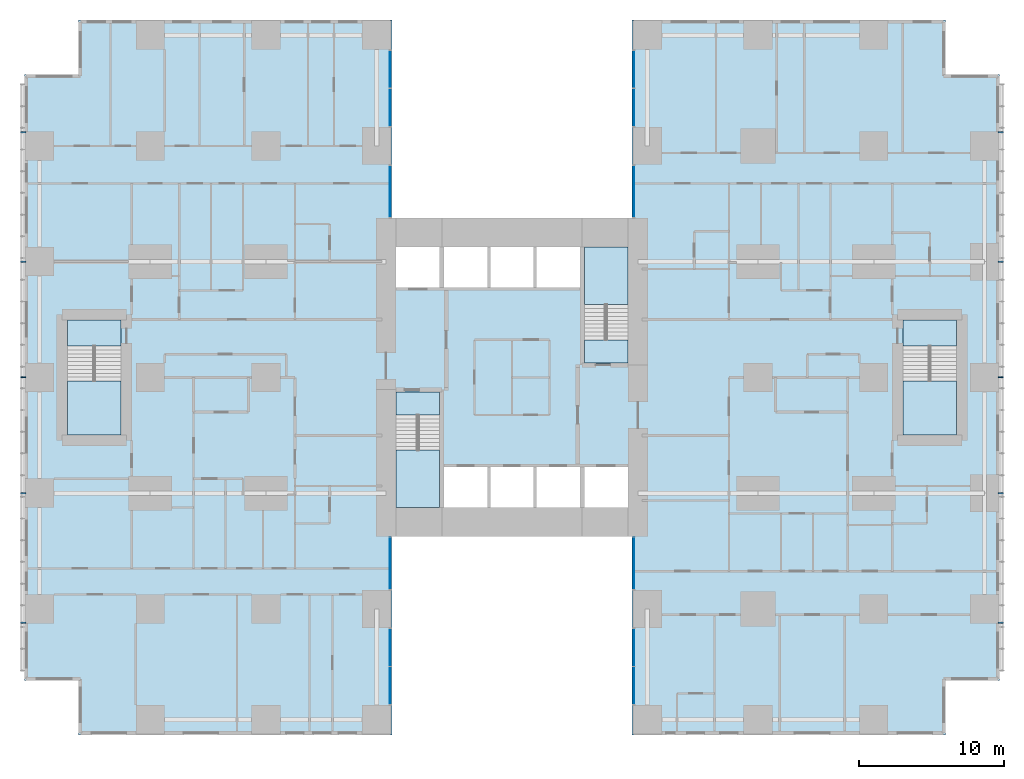
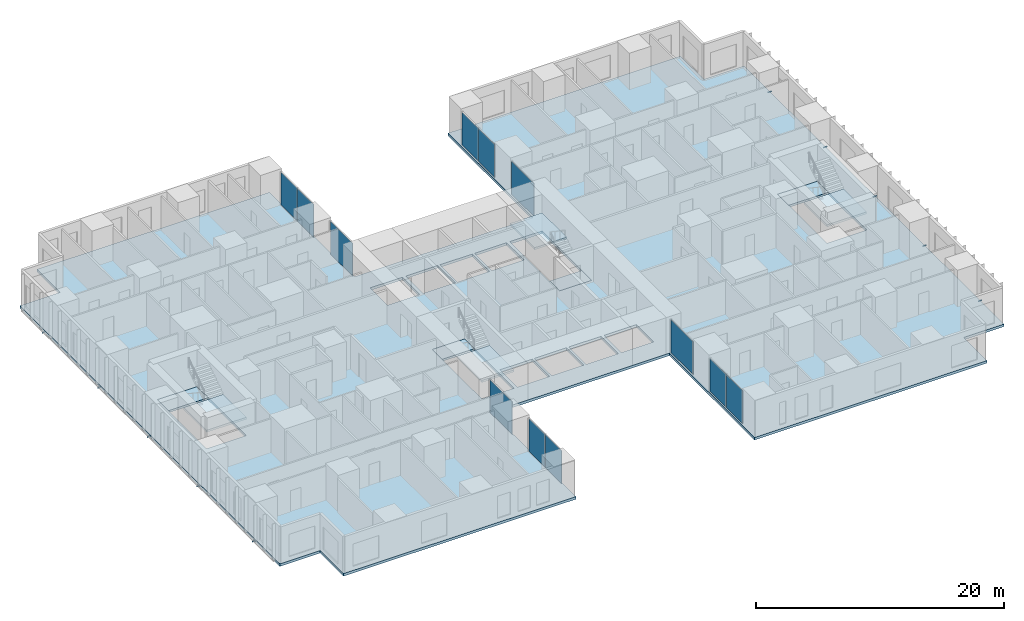
# One storey, part 7 of 20: 12 plates, 10 members, 9 slabs, 12 elements without a shape of their own.
"""IFC4 building model written with IfcOpenShell, lengths in metres."""

from ifc_helpers import new_model, si_unit, direction, frame, origin, origin_2d, place, context, subcontext, project, spatial, polyline, rectangle, hollow_rectangle, outline, extrude, material, layer, layer_set, material_profile, profile_set, type_object, element, aggregate, save


model = new_model("IFC4")

# Units and contexts
model_context = context("Model", 3, precision=1e-05, world=origin(), true_north=direction((0.0, 1.0)))
body_context = subcontext(model_context, "Body", "Model", "MODEL_VIEW")
ifc_project = project(units=[si_unit("LENGTHUNIT", "METRE"), si_unit("AREAUNIT", "SQUARE_METRE"), si_unit("VOLUMEUNIT", "CUBIC_METRE"), si_unit("PLANEANGLEUNIT", "RADIAN"), si_unit("MASSUNIT", "GRAM", prefix="KILO")], contexts=[model_context])

# Site, building, storey
site_placement = place(None, origin())
site = spatial("IfcSite", under=ifc_project, at=site_placement, CompositionType="ELEMENT")
building_placement = place(site_placement, origin())
building = spatial("IfcBuilding", under=site, at=building_placement, Name="Cleftline Residences", CompositionType="ELEMENT")
storey_placement = place(building_placement, frame((0.0, 0.0, 103.39990234375)))
storey = spatial("IfcBuildingStorey", under=building, at=storey_placement, Name="L26", CompositionType="ELEMENT", Elevation=103.39990234375)

# Members
ifc_material_1 = material(Name="Steel S355, hot-dip galvanised", Category="steel")
ifc_material_profile = material_profile(ifc_material_1, hollow_rectangle(XDim=0.10009765625, YDim=0.10009765625, WallThickness=0.008056640625, InnerFilletRadius=0.008056640625, OuterFilletRadius=0.011962890625, at=origin_2d()))
ifc_profile_set = profile_set([ifc_material_profile], Name="Steel S355, hot-dip galvanised")
member_type = type_object("IfcMemberType", Name="BAGUETTE BRACKET SHS 100X100X8", PredefinedType="USERDEFINED", material=ifc_profile_set)
for number, where, z_axis, x_axis, name in (
    (1, (66.60009765625, 7.050048828125, -0.14990234375), (1.0, 0.0, 0.0), (0.0, 1.0, 0.0), "Baguette bracket"),
    (2, (66.60009765625, 16.0, -0.14990234375), (1.0, 0.0, 0.0), (0.0, 1.0, 0.0), "Baguette bracket"),
    (3, (66.60009765625, 24.0, -0.14990234375), (1.0, 0.0, 0.0), (0.0, 1.0, 0.0), "Baguette bracket"),
    (4, (66.60009765625, 32.0, -0.14990234375), (1.0, 0.0, 0.0), (0.0, 1.0, 0.0), "Baguette bracket"),
    (5, (66.60009765625, 40.949951171875, -0.14990234375), (1.0, 0.0, 0.0), (0.0, 1.0, 0.0), "Baguette bracket"),
    (6, (-0.60009765625, 40.949951171875, -0.14990234375), (-1.0, 0.0, 0.0), (0.0, -1.0, 0.0), "Baguette bracket"),
    (7, (-0.60009765625, 32.0, -0.14990234375), (-1.0, 0.0, 0.0), (0.0, -1.0, 0.0), "Baguette bracket"),
    (8, (-0.60009765625, 24.0, -0.14990234375), (-1.0, 0.0, 0.0), (0.0, -1.0, 0.0), "Baguette bracket"),
    (9, (-0.60009765625, 16.0, -0.14990234375), (-1.0, 0.0, 0.0), (0.0, -1.0, 0.0), "Baguette bracket"),
    (10, (-0.60009765625, 7.050048828125, -0.14990234375), (-1.0, 0.0, 0.0), (0.0, -1.0, 0.0), "Baguette bracket"),
):
    element("IfcMember", number, at=place(storey_placement, frame(where, z_axis=z_axis, x_axis=x_axis)), inside=storey, type_object=member_type, Name=name, ObjectType="BAGUETTE BRACKET", PredefinedType="USERDEFINED", context=body_context, shape_type="SweptSolid", body=[
        extrude(hollow_rectangle(XDim=0.10009765625, YDim=0.10009765625, WallThickness=0.008056640625, InnerFilletRadius=0.008056640625, OuterFilletRadius=0.011962890625, at=origin_2d()), origin(), (0.0, 0.0, 1.0), 0.349853515625),
    ])

# Curtain wall, plates
ifc_material_2 = material(Name="Aluminium framed curtain wall", Category="aluminium")
ifc_layer_1 = layer(ifc_material_2, 0.199951171875)
ifc_layer_set_1 = layer_set([ifc_layer_1], Name="CW1 CLEFT GLAZING")
curtain_wall_type = type_object("IfcCurtainWallType", Name="CW1 CLEFT GLAZING", PredefinedType="NOTDEFINED", material=ifc_layer_set_1)
curtain_wall_1_placement = place(storey_placement, origin())
curtain_wall_1 = element("IfcCurtainWall", 11, at=curtain_wall_1_placement, inside=storey, type_object=curtain_wall_type, Name="Curtain wall CW1", PredefinedType="NOTDEFINED")
ifc_material_3 = material(Name="Laminated clear glass", Category="glass")
ifc_layer_2 = layer(ifc_material_3, 0.028076171875)
ifc_layer_set_2 = layer_set([ifc_layer_2], Name="CW1 GLASS PANEL")
plate_type = type_object("IfcPlateType", Name="CW1 GLASS PANEL", PredefinedType="CURTAIN_PANEL", material=ifc_layer_set_2)
plate_1_placement = place(storey_placement, frame((24.574951171875, 2.702392578125, 0.06005859375), z_axis=(0.0, 0.0, 1.0), x_axis=(0.0, 1.0, 0.0)))
plate_1 = element("IfcPlate", 12, at=plate_1_placement, type_object=plate_type, Name="CW1 panel 1.1", PredefinedType="CURTAIN_PANEL", context=body_context, shape_type="SweptSolid", body=[
    extrude(rectangle(XDim=2.5849609375, YDim=0.028076171875, at=origin_2d()), origin(), (0.0, 0.0, 1.0), 3.22998046875),
])
plate_2_placement = place(storey_placement, frame((24.574951171875, 5.347412109375, 0.06005859375), z_axis=(0.0, 0.0, 1.0), x_axis=(0.0, 1.0, 0.0)))
plate_2 = element("IfcPlate", 13, at=plate_2_placement, type_object=plate_type, Name="CW1 panel 2.1", PredefinedType="CURTAIN_PANEL", context=body_context, shape_type="SweptSolid", body=[
    extrude(rectangle(XDim=2.5849609375, YDim=0.028076171875, at=origin_2d()), origin(), (0.0, 0.0, 1.0), 3.22998046875),
])
aggregate(curtain_wall_1, [plate_1, plate_2])

# Curtain wall, plate
curtain_wall_2_placement = place(storey_placement, origin())
curtain_wall_2 = element("IfcCurtainWall", 14, at=curtain_wall_2_placement, inside=storey, type_object=curtain_wall_type, Name="Curtain wall CW1", PredefinedType="NOTDEFINED")
plate_3_placement = place(storey_placement, frame((24.574951171875, 11.14990234375, 0.06005859375), z_axis=(0.0, 0.0, 1.0), x_axis=(0.0, 1.0, 0.0)))
plate_3 = element("IfcPlate", 15, at=plate_3_placement, type_object=plate_type, Name="CW1 panel 1.1", PredefinedType="CURTAIN_PANEL", context=body_context, shape_type="SweptSolid", body=[
    extrude(rectangle(XDim=3.580078125, YDim=0.028076171875, at=origin_2d()), origin(), (0.0, 0.0, 1.0), 3.22998046875),
])
aggregate(curtain_wall_2, [plate_3])

curtain_wall_3_placement = place(storey_placement, origin())
curtain_wall_3 = element("IfcCurtainWall", 16, at=curtain_wall_3_placement, inside=storey, type_object=curtain_wall_type, Name="Curtain wall CW1", PredefinedType="NOTDEFINED")
plate_4_placement = place(storey_placement, frame((41.425048828125, 11.14990234375, 0.06005859375), z_axis=(0.0, 0.0, 1.0), x_axis=(0.0, -1.0, 0.0)))
plate_4 = element("IfcPlate", 17, at=plate_4_placement, type_object=plate_type, Name="CW1 panel 1.1", PredefinedType="CURTAIN_PANEL", context=body_context, shape_type="SweptSolid", body=[
    extrude(rectangle(XDim=3.580078125, YDim=0.028076171875, at=origin_2d()), origin(), (0.0, 0.0, 1.0), 3.22998046875),
])
aggregate(curtain_wall_3, [plate_4])

# Curtain wall, plates
curtain_wall_4_placement = place(storey_placement, origin())
curtain_wall_4 = element("IfcCurtainWall", 18, at=curtain_wall_4_placement, inside=storey, type_object=curtain_wall_type, Name="Curtain wall CW1", PredefinedType="NOTDEFINED")
plate_5_placement = place(storey_placement, frame((41.425048828125, 5.347412109375, 0.06005859375), z_axis=(0.0, 0.0, 1.0), x_axis=(0.0, -1.0, 0.0)))
plate_5 = element("IfcPlate", 19, at=plate_5_placement, type_object=plate_type, Name="CW1 panel 1.1", PredefinedType="CURTAIN_PANEL", context=body_context, shape_type="SweptSolid", body=[
    extrude(rectangle(XDim=2.5849609375, YDim=0.028076171875, at=origin_2d()), origin(), (0.0, 0.0, 1.0), 3.22998046875),
])
plate_6_placement = place(storey_placement, frame((41.425048828125, 2.702392578125, 0.06005859375), z_axis=(0.0, 0.0, 1.0), x_axis=(0.0, -1.0, 0.0)))
plate_6 = element("IfcPlate", 20, at=plate_6_placement, type_object=plate_type, Name="CW1 panel 2.1", PredefinedType="CURTAIN_PANEL", context=body_context, shape_type="SweptSolid", body=[
    extrude(rectangle(XDim=2.5849609375, YDim=0.028076171875, at=origin_2d()), origin(), (0.0, 0.0, 1.0), 3.22998046875),
])
aggregate(curtain_wall_4, [plate_5, plate_6])

curtain_wall_5_placement = place(storey_placement, origin())
curtain_wall_5 = element("IfcCurtainWall", 21, at=curtain_wall_5_placement, inside=storey, type_object=curtain_wall_type, Name="Curtain wall CW1", PredefinedType="NOTDEFINED")
plate_7_placement = place(storey_placement, frame((41.425048828125, 45.297607421875, 0.06005859375), z_axis=(0.0, 0.0, 1.0), x_axis=(0.0, -1.0, 0.0)))
plate_7 = element("IfcPlate", 22, at=plate_7_placement, type_object=plate_type, Name="CW1 panel 1.1", PredefinedType="CURTAIN_PANEL", context=body_context, shape_type="SweptSolid", body=[
    extrude(rectangle(XDim=2.5849609375, YDim=0.028076171875, at=origin_2d()), origin(), (0.0, 0.0, 1.0), 3.22998046875),
])
plate_8_placement = place(storey_placement, frame((41.425048828125, 42.652587890625, 0.06005859375), z_axis=(0.0, 0.0, 1.0), x_axis=(0.0, -1.0, 0.0)))
plate_8 = element("IfcPlate", 23, at=plate_8_placement, type_object=plate_type, Name="CW1 panel 2.1", PredefinedType="CURTAIN_PANEL", context=body_context, shape_type="SweptSolid", body=[
    extrude(rectangle(XDim=2.5849609375, YDim=0.028076171875, at=origin_2d()), origin(), (0.0, 0.0, 1.0), 3.22998046875),
])
aggregate(curtain_wall_5, [plate_7, plate_8])

# Curtain wall, plate
curtain_wall_6_placement = place(storey_placement, origin())
curtain_wall_6 = element("IfcCurtainWall", 24, at=curtain_wall_6_placement, inside=storey, type_object=curtain_wall_type, Name="Curtain wall CW1", PredefinedType="NOTDEFINED")
plate_9_placement = place(storey_placement, frame((41.425048828125, 36.85009765625, 0.06005859375), z_axis=(0.0, 0.0, 1.0), x_axis=(0.0, -1.0, 0.0)))
plate_9 = element("IfcPlate", 25, at=plate_9_placement, type_object=plate_type, Name="CW1 panel 1.1", PredefinedType="CURTAIN_PANEL", context=body_context, shape_type="SweptSolid", body=[
    extrude(rectangle(XDim=3.580078125, YDim=0.028076171875, at=origin_2d()), origin(), (0.0, 0.0, 1.0), 3.22998046875),
])
aggregate(curtain_wall_6, [plate_9])

curtain_wall_7_placement = place(storey_placement, origin())
curtain_wall_7 = element("IfcCurtainWall", 26, at=curtain_wall_7_placement, inside=storey, type_object=curtain_wall_type, Name="Curtain wall CW1", PredefinedType="NOTDEFINED")
plate_10_placement = place(storey_placement, frame((24.574951171875, 36.85009765625, 0.06005859375), z_axis=(0.0, 0.0, 1.0), x_axis=(0.0, 1.0, 0.0)))
plate_10 = element("IfcPlate", 27, at=plate_10_placement, type_object=plate_type, Name="CW1 panel 1.1", PredefinedType="CURTAIN_PANEL", context=body_context, shape_type="SweptSolid", body=[
    extrude(rectangle(XDim=3.580078125, YDim=0.028076171875, at=origin_2d()), origin(), (0.0, 0.0, 1.0), 3.22998046875),
])
aggregate(curtain_wall_7, [plate_10])

# Curtain wall, plates
curtain_wall_8_placement = place(storey_placement, origin())
curtain_wall_8 = element("IfcCurtainWall", 28, at=curtain_wall_8_placement, inside=storey, type_object=curtain_wall_type, Name="Curtain wall CW1", PredefinedType="NOTDEFINED")
plate_11_placement = place(storey_placement, frame((24.574951171875, 42.652587890625, 0.06005859375), z_axis=(0.0, 0.0, 1.0), x_axis=(0.0, 1.0, 0.0)))
plate_11 = element("IfcPlate", 29, at=plate_11_placement, type_object=plate_type, Name="CW1 panel 1.1", PredefinedType="CURTAIN_PANEL", context=body_context, shape_type="SweptSolid", body=[
    extrude(rectangle(XDim=2.5849609375, YDim=0.028076171875, at=origin_2d()), origin(), (0.0, 0.0, 1.0), 3.22998046875),
])
plate_12_placement = place(storey_placement, frame((24.574951171875, 45.297607421875, 0.06005859375), z_axis=(0.0, 0.0, 1.0), x_axis=(0.0, 1.0, 0.0)))
plate_12 = element("IfcPlate", 30, at=plate_12_placement, type_object=plate_type, Name="CW1 panel 2.1", PredefinedType="CURTAIN_PANEL", context=body_context, shape_type="SweptSolid", body=[
    extrude(rectangle(XDim=2.5849609375, YDim=0.028076171875, at=origin_2d()), origin(), (0.0, 0.0, 1.0), 3.22998046875),
])
aggregate(curtain_wall_8, [plate_11, plate_12])

# Slab
ifc_material_4 = material(Name="Concrete B45", Category="concrete")
ifc_layer_3 = layer(ifc_material_4, 0.25)
ifc_layer_set_3 = layer_set([ifc_layer_3], Name="FLOOR SLAB 250")
slab_type_1 = type_object("IfcSlabType", Name="FLOOR SLAB 250", PredefinedType="FLOOR", material=ifc_layer_set_3)
slab_1_placement = place(storey_placement, frame((0.0, 0.0, -0.25)))
element("IfcSlab", 31, at=slab_1_placement, inside=storey, type_object=slab_type_1, Name="Floor slab L26", PredefinedType="FLOOR", context=body_context, shape_type="SweptSolid", body=[
    extrude(outline(polyline([(24.699951171875, 13.0), (41.300048828125, 13.0), (41.300048828125, -0.699951171875), (62.949951171875, -0.699951171875), (62.949951171875, 3.050048828125), (66.699951171875, 3.050048828125), (66.699951171875, 44.949951171875), (62.949951171875, 44.949951171875), (62.949951171875, 48.699951171875), (41.300048828125, 48.699951171875), (41.300048828125, 35.0), (24.699951171875, 35.0), (24.699951171875, 48.699951171875), (3.050048828125, 48.699951171875), (3.050048828125, 44.949951171875), (-0.699951171875, 44.949951171875), (-0.699951171875, 3.050048828125), (3.050048828125, 3.050048828125), (3.050048828125, -0.699951171875), (24.699951171875, -0.699951171875), (24.699951171875, 13.0)]), holes=[polyline([(28.0, 15.0), (28.0, 23.0), (25.0, 23.0), (25.0, 15.0), (28.0, 15.0)]), polyline([(41.0, 25.0), (41.0, 33.0), (38.0, 33.0), (38.0, 25.0), (41.0, 25.0)]), polyline([(28.0, 30.199951171875), (28.0, 33.0), (25.0, 33.0), (25.0, 30.199951171875), (28.0, 30.199951171875)]), polyline([(41.0, 15.0), (41.0, 17.800048828125), (38.0, 17.800048828125), (38.0, 15.0), (41.0, 15.0)]), polyline([(31.300048828125, 15.0), (31.300048828125, 17.800048828125), (28.300048828125, 17.800048828125), (28.300048828125, 15.0), (31.300048828125, 15.0)]), polyline([(34.5, 15.0), (34.5, 17.800048828125), (31.5, 17.800048828125), (31.5, 15.0), (34.5, 15.0)]), polyline([(37.699951171875, 15.0), (37.699951171875, 17.800048828125), (34.699951171875, 17.800048828125), (34.699951171875, 15.0), (37.699951171875, 15.0)]), polyline([(31.300048828125, 30.199951171875), (31.300048828125, 33.0), (28.300048828125, 33.0), (28.300048828125, 30.199951171875), (31.300048828125, 30.199951171875)]), polyline([(34.5, 30.199951171875), (34.5, 33.0), (31.5, 33.0), (31.5, 30.199951171875), (34.5, 30.199951171875)]), polyline([(37.699951171875, 30.199951171875), (37.699951171875, 33.0), (34.699951171875, 33.0), (34.699951171875, 30.199951171875), (37.699951171875, 30.199951171875)]), polyline([(63.72509765625, 20.02490234375), (63.72509765625, 27.97509765625), (60.02490234375, 27.97509765625), (60.02490234375, 20.02490234375), (63.72509765625, 20.02490234375)]), polyline([(5.97509765625, 20.02490234375), (5.97509765625, 27.97509765625), (2.27490234375, 27.97509765625), (2.27490234375, 20.02490234375), (5.97509765625, 20.02490234375)])]), origin(), (0.0, 0.0, 1.0), 0.25),
])

# Stair, slabs
ifc_material_5 = material(Name="Concrete B45, stone treads", Category="masonry")
stair_type_1 = type_object("IfcStairType", Name="STAIR A 1450 WIDE 180 RISER", PredefinedType="HALF_TURN_STAIR", material=ifc_material_5)
stair_1_placement = place(storey_placement, origin())
stair_1 = element("IfcStair", 32, at=stair_1_placement, inside=storey, type_object=stair_type_1, Name="Stair A L26", PredefinedType="HALF_TURN_STAIR")
ifc_material_6 = material(Name="Concrete B45", Category="concrete")
ifc_layer_4 = layer(ifc_material_6, 0.199951171875)
ifc_layer_set_4 = layer_set([ifc_layer_4], Name="STAIR LANDING 200")
slab_type_2 = type_object("IfcSlabType", Name="STAIR LANDING 200", PredefinedType="LANDING", material=ifc_layer_set_4)
slab_2_placement = place(storey_placement, frame((0.0, 0.0, -0.199951171875)))
slab_2 = element("IfcSlab", 33, at=slab_2_placement, type_object=slab_type_2, Name="ST-A landing 1", PredefinedType="LANDING", context=body_context, shape_type="SweptSolid", body=[
    extrude(outline(polyline([(25.0, 21.39990234375), (28.0, 21.39990234375), (28.0, 23.0), (25.0, 23.0), (25.0, 21.39990234375)])), origin(), (0.0, 0.0, 1.0), 0.199951171875),
])
slab_3_placement = place(storey_placement, frame((0.0, 0.0, 1.60009765625)))
slab_3 = element("IfcSlab", 34, at=slab_3_placement, type_object=slab_type_2, Name="ST-A landing 2", PredefinedType="LANDING", context=body_context, shape_type="SweptSolid", body=[
    extrude(outline(polyline([(25.0, 15.0), (28.0, 15.0), (28.0, 18.969970703125), (25.0, 18.969970703125), (25.0, 15.0)])), origin(), (0.0, 0.0, 1.0), 0.199951171875),
])
aggregate(stair_1, [slab_2, slab_3])

ifc_material_7 = material(Name="Concrete B45, stone treads", Category="masonry")
stair_type_2 = type_object("IfcStairType", Name="STAIR B 1450 WIDE 180 RISER", PredefinedType="HALF_TURN_STAIR", material=ifc_material_7)
stair_2_placement = place(storey_placement, origin())
stair_2 = element("IfcStair", 35, at=stair_2_placement, inside=storey, type_object=stair_type_2, Name="Stair B L26", PredefinedType="HALF_TURN_STAIR")
slab_4_placement = place(storey_placement, frame((0.0, 0.0, -0.199951171875)))
slab_4 = element("IfcSlab", 36, at=slab_4_placement, type_object=slab_type_2, Name="ST-B landing 1", PredefinedType="LANDING", context=body_context, shape_type="SweptSolid", body=[
    extrude(outline(polyline([(38.0, 25.0), (41.0, 25.0), (41.0, 26.60009765625), (38.0, 26.60009765625), (38.0, 25.0)])), origin(), (0.0, 0.0, 1.0), 0.199951171875),
])
slab_5_placement = place(storey_placement, frame((0.0, 0.0, 1.60009765625)))
slab_5 = element("IfcSlab", 37, at=slab_5_placement, type_object=slab_type_2, Name="ST-B landing 2", PredefinedType="LANDING", context=body_context, shape_type="SweptSolid", body=[
    extrude(outline(polyline([(38.0, 29.030029296875), (41.0, 29.030029296875), (41.0, 33.0), (38.0, 33.0), (38.0, 29.030029296875)])), origin(), (0.0, 0.0, 1.0), 0.199951171875),
])
aggregate(stair_2, [slab_4, slab_5])

ifc_material_8 = material(Name="Concrete B45, stone treads", Category="masonry")
stair_type_3 = type_object("IfcStairType", Name="STAIR E 1800 WIDE 180 RISER", PredefinedType="HALF_TURN_STAIR", material=ifc_material_8)
stair_3_placement = place(storey_placement, origin())
stair_3 = element("IfcStair", 38, at=stair_3_placement, inside=storey, type_object=stair_type_3, Name="Stair E L26", PredefinedType="HALF_TURN_STAIR")
slab_6_placement = place(storey_placement, frame((0.0, 0.0, -0.199951171875)))
slab_6 = element("IfcSlab", 39, at=slab_6_placement, type_object=slab_type_2, Name="ST-E landing 1", PredefinedType="LANDING", context=body_context, shape_type="SweptSolid", body=[
    extrude(outline(polyline([(60.02490234375, 26.175048828125), (63.72509765625, 26.175048828125), (63.72509765625, 27.97509765625), (60.02490234375, 27.97509765625), (60.02490234375, 26.175048828125)])), origin(), (0.0, 0.0, 1.0), 0.199951171875),
])
slab_7_placement = place(storey_placement, frame((0.0, 0.0, 1.60009765625)))
slab_7 = element("IfcSlab", 40, at=slab_7_placement, type_object=slab_type_2, Name="ST-E landing 2", PredefinedType="LANDING", context=body_context, shape_type="SweptSolid", body=[
    extrude(outline(polyline([(60.02490234375, 20.02490234375), (63.72509765625, 20.02490234375), (63.72509765625, 23.7451171875), (60.02490234375, 23.7451171875), (60.02490234375, 20.02490234375)])), origin(), (0.0, 0.0, 1.0), 0.199951171875),
])
aggregate(stair_3, [slab_6, slab_7])

ifc_material_9 = material(Name="Concrete B45, stone treads", Category="masonry")
stair_type_4 = type_object("IfcStairType", Name="STAIR W 1800 WIDE 180 RISER", PredefinedType="HALF_TURN_STAIR", material=ifc_material_9)
stair_4_placement = place(storey_placement, origin())
stair_4 = element("IfcStair", 41, at=stair_4_placement, inside=storey, type_object=stair_type_4, Name="Stair W L26", PredefinedType="HALF_TURN_STAIR")
slab_8_placement = place(storey_placement, frame((0.0, 0.0, -0.199951171875)))
slab_8 = element("IfcSlab", 42, at=slab_8_placement, type_object=slab_type_2, Name="ST-W landing 1", PredefinedType="LANDING", context=body_context, shape_type="SweptSolid", body=[
    extrude(outline(polyline([(2.27490234375, 26.175048828125), (5.97509765625, 26.175048828125), (5.97509765625, 27.97509765625), (2.27490234375, 27.97509765625), (2.27490234375, 26.175048828125)])), origin(), (0.0, 0.0, 1.0), 0.199951171875),
])
slab_9_placement = place(storey_placement, frame((0.0, 0.0, 1.60009765625)))
slab_9 = element("IfcSlab", 43, at=slab_9_placement, type_object=slab_type_2, Name="ST-W landing 2", PredefinedType="LANDING", context=body_context, shape_type="SweptSolid", body=[
    extrude(outline(polyline([(2.27490234375, 20.02490234375), (5.97509765625, 20.02490234375), (5.97509765625, 23.7451171875), (2.27490234375, 23.7451171875), (2.27490234375, 20.02490234375)])), origin(), (0.0, 0.0, 1.0), 0.199951171875),
])
aggregate(stair_4, [slab_8, slab_9])

save(model, "model.ifc")
